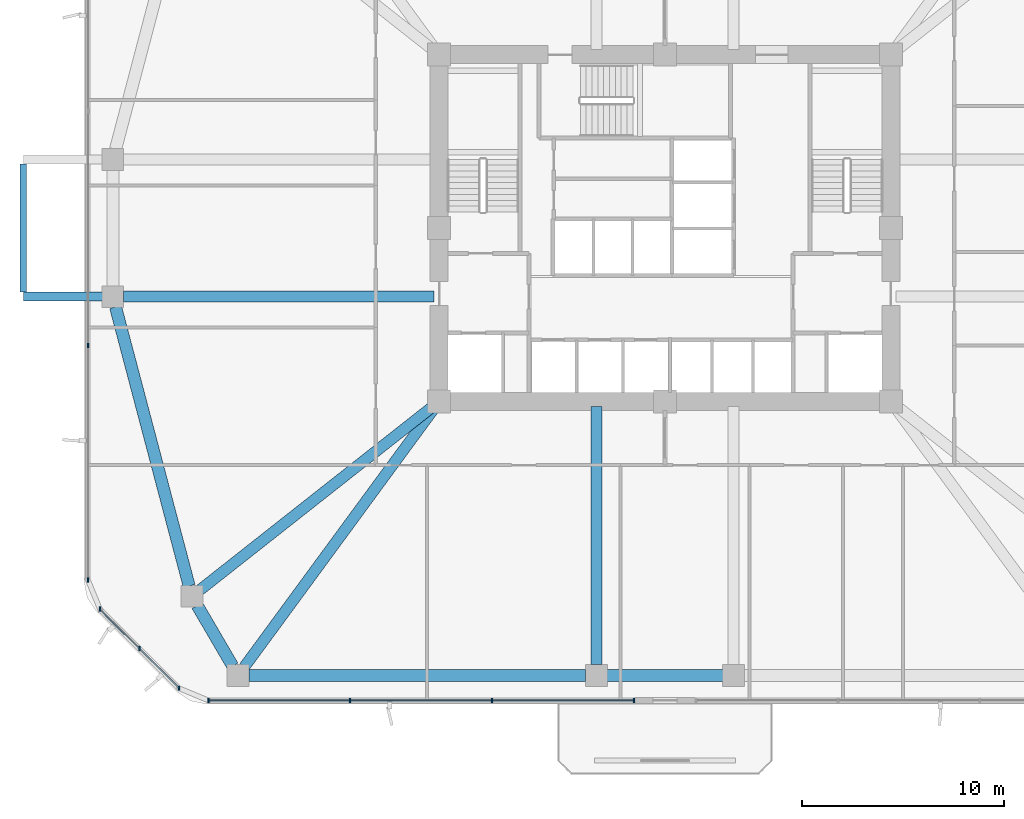
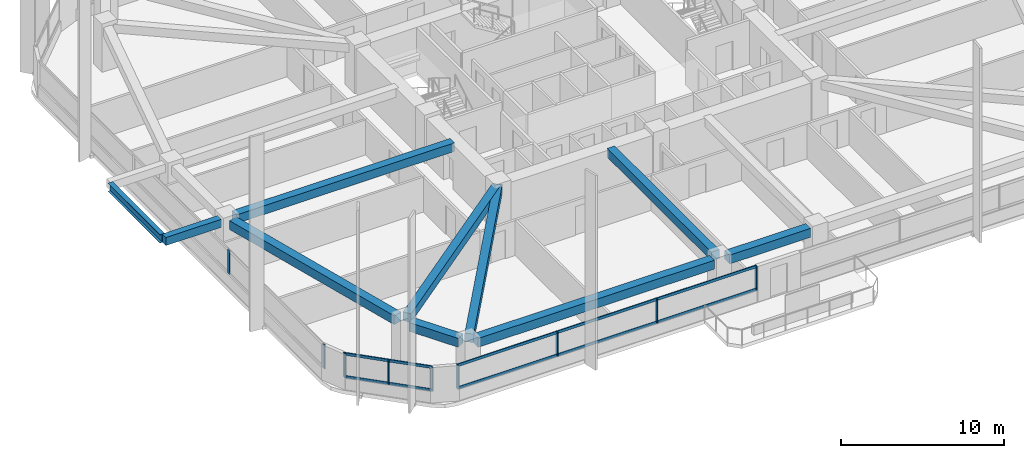
# One storey, part 2 of 17: 13 members, 10 beams, 3 elements without a shape of their own.
"""IFC4 building model written with IfcOpenShell, lengths in metres."""

from ifc_helpers import new_model, si_unit, derived_unit, direction, frame, origin, origin_2d, place, context, subcontext, project, spatial, rectangle, i_section, extrude, material, material_profile, profile_set, type_object, element, aggregate, save


model = new_model("IFC4")

# Units and contexts
model_context = context("Model", 3, precision=1e-05, world=origin(), true_north=direction((0.0, 1.0)))
body_context = subcontext(model_context, "Body", "Model", "MODEL_VIEW")
ifc_project = project(units=[si_unit("LENGTHUNIT", "METRE"), si_unit("AREAUNIT", "SQUARE_METRE"), si_unit("VOLUMEUNIT", "CUBIC_METRE"), si_unit("PLANEANGLEUNIT", "RADIAN"), si_unit("MASSUNIT", "GRAM", prefix="KILO"), derived_unit("THERMALTRANSMITTANCEUNIT", [(si_unit("POWERUNIT", "WATT"), 1), (si_unit("LENGTHUNIT", "METRE"), -2), (si_unit("THERMODYNAMICTEMPERATUREUNIT", "KELVIN"), -1)])], contexts=[model_context])

# Site, building, storey
site_placement = place(None, origin())
site = spatial("IfcSite", under=ifc_project, at=site_placement, CompositionType="ELEMENT")
building_placement = place(site_placement, origin())
building = spatial("IfcBuilding", under=site, at=building_placement, Name="Koralith Skygarden Medical Center", CompositionType="ELEMENT")
storey_placement = place(building_placement, frame((0.0, 0.0, 38.340087890625)))
storey = spatial("IfcBuildingStorey", under=building, at=storey_placement, Name="L09", CompositionType="ELEMENT", Elevation=38.340087890625)

# Curtain wall, members
ifc_material_1 = material(Name="Clear Laminated Glass", Category="glass")
curtain_wall_type = type_object("IfcCurtainWallType", Name="CW-2 Zone 1 Hurricane Unitised Curtain Wall", PredefinedType="NOTDEFINED", material=ifc_material_1)
curtain_wall_1_placement = place(storey_placement, origin())
curtain_wall_1 = element("IfcCurtainWall", 1, at=curtain_wall_1_placement, inside=storey, type_object=curtain_wall_type, Name="Curtain Wall CW-L09-S-L", PredefinedType="NOTDEFINED")
ifc_material_2 = material(Name="Aluminium 6063-T6", Category="aluminium")
ifc_material_profile_1 = material_profile(ifc_material_2, rectangle(XDim=0.071044921875, YDim=0.219970703125, at=origin_2d()), Name="MUL71X220")
ifc_profile_set_1 = profile_set([ifc_material_profile_1], Name="Aluminium 6063-T6")
member_type_1 = type_object("IfcMemberType", Name="CW-2 Extruded Mullion 71x220", PredefinedType="MULLION", material=ifc_profile_set_1)
member_1_placement = place(storey_placement, frame((14.35498046875, 2.47998046875, 0.849853515625), z_axis=(0.0, 0.0, 1.0), x_axis=(1.0, 0.0, 0.0)))
member_1 = element("IfcMember", 2, at=member_1_placement, type_object=member_type_1, Name="CW-L09-S-L Mullion 1", PredefinedType="MULLION", context=body_context, shape_type="SweptSolid", body=[
    extrude(rectangle(XDim=0.071044921875, YDim=0.219970703125, at=origin_2d()), origin(), (0.0, 0.0, 1.0), 1.800048828125),
])
member_2_placement = place(storey_placement, frame((21.389892578125, 2.47998046875, 0.849853515625), z_axis=(0.0, 0.0, 1.0), x_axis=(1.0, 0.0, 0.0)))
member_2 = element("IfcMember", 3, at=member_2_placement, type_object=member_type_1, Name="CW-L09-S-L Mullion 2", PredefinedType="MULLION", context=body_context, shape_type="SweptSolid", body=[
    extrude(rectangle(XDim=0.071044921875, YDim=0.219970703125, at=origin_2d()), origin(), (0.0, 0.0, 1.0), 1.800048828125),
])
member_3_placement = place(storey_placement, frame((28.425048828125, 2.47998046875, 0.849853515625), z_axis=(0.0, 0.0, 1.0), x_axis=(1.0, 0.0, 0.0)))
member_3 = element("IfcMember", 4, at=member_3_placement, type_object=member_type_1, Name="CW-L09-S-L Mullion 3", PredefinedType="MULLION", context=body_context, shape_type="SweptSolid", body=[
    extrude(rectangle(XDim=0.071044921875, YDim=0.219970703125, at=origin_2d()), origin(), (0.0, 0.0, 1.0), 1.800048828125),
])
member_4_placement = place(storey_placement, frame((35.4599609375, 2.47998046875, 0.849853515625), z_axis=(0.0, 0.0, 1.0), x_axis=(1.0, 0.0, 0.0)))
member_4 = element("IfcMember", 5, at=member_4_placement, type_object=member_type_1, Name="CW-L09-S-L Mullion 4", PredefinedType="MULLION", context=body_context, shape_type="SweptSolid", body=[
    extrude(rectangle(XDim=0.071044921875, YDim=0.219970703125, at=origin_2d()), origin(), (0.0, 0.0, 1.0), 1.800048828125),
])

curtain_wall_2_placement = place(storey_placement, origin())
curtain_wall_2 = element("IfcCurtainWall", 6, at=curtain_wall_2_placement, inside=storey, type_object=curtain_wall_type, Name="Curtain Wall CW-L09-W", PredefinedType="NOTDEFINED")
member_5_placement = place(storey_placement, frame((8.3798828125, 20.0849609375, 0.849853515625), z_axis=(0.0, 0.0, 1.0), x_axis=(1.0, 0.0, 0.0)))
member_5 = element("IfcMember", 7, at=member_5_placement, type_object=member_type_1, Name="CW-L09-W Mullion 3", PredefinedType="MULLION", context=body_context, shape_type="SweptSolid", body=[
    extrude(rectangle(XDim=0.071044921875, YDim=0.219970703125, at=origin_2d()), origin(), (0.0, 0.0, 1.0), 1.800048828125),
])
member_6_placement = place(storey_placement, frame((8.3798828125, 8.455078125, 0.849853515625), z_axis=(0.0, 0.0, 1.0), x_axis=(1.0, 0.0, 0.0)))
member_6 = element("IfcMember", 8, at=member_6_placement, type_object=member_type_1, Name="CW-L09-W Mullion 4", PredefinedType="MULLION", context=body_context, shape_type="SweptSolid", body=[
    extrude(rectangle(XDim=0.071044921875, YDim=0.219970703125, at=origin_2d()), origin(), (0.0, 0.0, 1.0), 1.800048828125),
])
aggregate(curtain_wall_2, [member_5, member_6])

curtain_wall_3_placement = place(storey_placement, origin())
curtain_wall_3 = element("IfcCurtainWall", 9, at=curtain_wall_3_placement, inside=storey, type_object=curtain_wall_type, Name="Curtain Wall CW-L09-SW", PredefinedType="NOTDEFINED")
member_7_placement = place(storey_placement, frame((8.98095703125, 7.00390625, 0.849853515625), z_axis=(0.0, 0.0, 1.0), x_axis=(1.0, 0.0, 0.0)))
member_7 = element("IfcMember", 10, at=member_7_placement, type_object=member_type_1, Name="CW-L09-SW Mullion 1", PredefinedType="MULLION", context=body_context, shape_type="SweptSolid", body=[
    extrude(rectangle(XDim=0.071044921875, YDim=0.219970703125, at=origin_2d()), origin(), (0.0, 0.0, 1.0), 1.800048828125),
])
member_8_placement = place(storey_placement, frame((10.94189453125, 5.04296875, 0.849853515625), z_axis=(0.0, 0.0, 1.0), x_axis=(1.0, 0.0, 0.0)))
member_8 = element("IfcMember", 11, at=member_8_placement, type_object=member_type_1, Name="CW-L09-SW Mullion 2", PredefinedType="MULLION", context=body_context, shape_type="SweptSolid", body=[
    extrude(rectangle(XDim=0.071044921875, YDim=0.219970703125, at=origin_2d()), origin(), (0.0, 0.0, 1.0), 1.800048828125),
])
member_9_placement = place(storey_placement, frame((12.904052734375, 3.0810546875, 0.849853515625), z_axis=(0.0, 0.0, 1.0), x_axis=(1.0, 0.0, 0.0)))
member_9 = element("IfcMember", 12, at=member_9_placement, type_object=member_type_1, Name="CW-L09-SW Mullion 3", PredefinedType="MULLION", context=body_context, shape_type="SweptSolid", body=[
    extrude(rectangle(XDim=0.071044921875, YDim=0.219970703125, at=origin_2d()), origin(), (0.0, 0.0, 1.0), 1.800048828125),
])

# Member
ifc_material_profile_2 = material_profile(ifc_material_2, rectangle(XDim=0.06591796875, YDim=0.197998046875, at=origin_2d()), Name="TRN66X198")
ifc_profile_set_2 = profile_set([ifc_material_profile_2], Name="Aluminium 6063-T6")
member_type_2 = type_object("IfcMemberType", Name="CW-2 Thermal Transom 66x198", PredefinedType="USERDEFINED", material=ifc_profile_set_2)
member_10_placement = place(storey_placement, frame((14.35498046875, 2.47998046875, 0.89990234375), z_axis=(1.0, 0.0, 0.0), x_axis=(0.0, 1.0, 0.0)))
member_10 = element("IfcMember", 13, at=member_10_placement, type_object=member_type_2, Name="CW-L09-S-L Transom 1", ObjectType="TRANSOM", PredefinedType="USERDEFINED", context=body_context, shape_type="SweptSolid", body=[
    extrude(rectangle(XDim=0.06591796875, YDim=0.197998046875, at=origin_2d()), origin(), (0.0, 0.0, 1.0), 21.10498046875),
])

member_11_placement = place(storey_placement, frame((14.35498046875, 2.47998046875, 2.599853515625), z_axis=(1.0, 0.0, 0.0), x_axis=(0.0, 1.0, 0.0)))
member_11 = element("IfcMember", 14, at=member_11_placement, type_object=member_type_2, Name="CW-L09-S-L Transom 2", ObjectType="TRANSOM", PredefinedType="USERDEFINED", context=body_context, shape_type="SweptSolid", body=[
    extrude(rectangle(XDim=0.06591796875, YDim=0.197998046875, at=origin_2d()), origin(), (0.0, 0.0, 1.0), 21.10498046875),
])

aggregate(curtain_wall_1, [member_1, member_2, member_3, member_4, member_10, member_11])

member_12_placement = place(storey_placement, frame((8.98095703125, 7.00390625, 0.89990234375), z_axis=(0.707128783731, -0.707084777957, 0.0), x_axis=(0.707084777957, 0.707128783731, 0.0)))
member_12 = element("IfcMember", 15, at=member_12_placement, type_object=member_type_2, Name="CW-L09-SW Transom 1", ObjectType="TRANSOM", PredefinedType="USERDEFINED", context=body_context, shape_type="SweptSolid", body=[
    extrude(rectangle(XDim=0.06591796875, YDim=0.197998046875, at=origin_2d()), origin(), (0.0, 0.0, 1.0), 5.5478515625),
])

member_13_placement = place(storey_placement, frame((8.98095703125, 7.00390625, 2.599853515625), z_axis=(0.707128783731, -0.707084777957, 0.0), x_axis=(0.707084777957, 0.707128783731, 0.0)))
member_13 = element("IfcMember", 16, at=member_13_placement, type_object=member_type_2, Name="CW-L09-SW Transom 2", ObjectType="TRANSOM", PredefinedType="USERDEFINED", context=body_context, shape_type="SweptSolid", body=[
    extrude(rectangle(XDim=0.06591796875, YDim=0.197998046875, at=origin_2d()), origin(), (0.0, 0.0, 1.0), 5.5478515625),
])

aggregate(curtain_wall_3, [member_7, member_8, member_9, member_12, member_13])

# Beams
ifc_material_3 = material(Name="Steel ASTM A992 Grade 50", Category="steel")
ifc_material_profile_3 = material_profile(ifc_material_3, i_section(OverallWidth=0.326904296875, OverallDepth=0.6220703125, WebThickness=0.015380859375, FlangeThickness=0.0244140625, at=origin_2d()), Name="W24X131")
ifc_profile_set_3 = profile_set([ifc_material_profile_3], Name="Steel ASTM A992 Grade 50")
beam_type_1 = type_object("IfcBeamType", Name="Cantilever Tie Beam W24X131", PredefinedType="BEAM", material=ifc_profile_set_3)
beam_1_placement = place(storey_placement, frame((5.179931640625, 22.719970703125, 3.02880859375), z_axis=(0.0, 1.0, 0.0), x_axis=(-1.0, 0.0, 0.0)))
element("IfcBeam", 17, at=beam_1_placement, inside=storey, type_object=beam_type_1, Name="L10 W Balcony Tip Tie Beam", PredefinedType="BEAM", context=body_context, shape_type="SweptSolid", body=[
    extrude(i_section(OverallWidth=0.326904296875, OverallDepth=0.6220703125, WebThickness=0.015380859375, FlangeThickness=0.0244140625, at=origin_2d()), origin(), (0.0, 0.0, 1.0), 6.360107421875),
])
ifc_material_4 = material(Name="Concrete C45/55", Category="concrete")
ifc_material_profile_4 = material_profile(ifc_material_4, rectangle(XDim=0.449951171875, YDim=0.60009765625, at=origin_2d()), Name="RCB450X600")
ifc_profile_set_4 = profile_set([ifc_material_profile_4], Name="Concrete C45/55")
beam_type_2 = type_object("IfcBeamType", Name="Planted Balcony Cantilever Beam RCB450X600", PredefinedType="BEAM", material=ifc_profile_set_4)
beam_2_placement = place(storey_placement, frame((9.10009765625, 22.5, 3.039794921875), z_axis=(-1.0, 0.0, 0.0), x_axis=(0.0, -1.0, 0.0)))
element("IfcBeam", 18, at=beam_2_placement, inside=storey, type_object=beam_type_2, Name="L10 W Balcony Cantilever Beam A", PredefinedType="BEAM", context=body_context, shape_type="SweptSolid", body=[
    extrude(rectangle(XDim=0.449951171875, YDim=0.60009765625, at=origin_2d()), origin(), (0.0, 0.0, 1.0), 3.920166015625),
])
ifc_material_profile_5 = material_profile(ifc_material_4, rectangle(XDim=0.550048828125, YDim=0.639892578125, at=origin_2d()), Name="RCB550X640")
ifc_profile_set_5 = profile_set([ifc_material_profile_5], Name="Concrete C45/55")
beam_type_3 = type_object("IfcBeamType", Name="Radial Collector Beam RCB550X640", PredefinedType="BEAM", material=ifc_profile_set_5)
beam_3_placement = place(storey_placement, frame((25.550048828125, 22.5, 3.0), z_axis=(-1.0, 0.0, 0.0), x_axis=(0.0, -1.0, 0.0)))
element("IfcBeam", 19, at=beam_3_placement, inside=storey, type_object=beam_type_3, Name="L09 Radial Collector Beam RB-01", PredefinedType="BEAM", context=body_context, shape_type="SweptSolid", body=[
    extrude(rectangle(XDim=0.550048828125, YDim=0.639892578125, at=origin_2d()), origin(), (0.0, 0.0, 1.0), 15.400146484375),
])
beam_4_placement = place(storey_placement, frame((25.60400390625, 17.14501953125, 3.0), z_axis=(-0.785497250365, -0.618865146594, 0.0), x_axis=(0.618865146594, -0.785497250365, 0.0)))
element("IfcBeam", 20, at=beam_4_placement, inside=storey, type_object=beam_type_3, Name="L09 Radial Collector Beam RB-02", PredefinedType="BEAM", context=body_context, shape_type="SweptSolid", body=[
    extrude(rectangle(XDim=0.550048828125, YDim=0.639892578125, at=origin_2d()), origin(), (0.0, 0.0, 1.0), 14.828857421875),
])
beam_5_placement = place(storey_placement, frame((25.652099609375, 17.097900390625, 3.0), z_axis=(-0.591718052249, -0.806144991079, 0.0), x_axis=(0.806144991079, -0.591718052249, 0.0)))
element("IfcBeam", 21, at=beam_5_placement, inside=storey, type_object=beam_type_3, Name="L09 Radial Collector Beam RB-03", PredefinedType="BEAM", context=body_context, shape_type="SweptSolid", body=[
    extrude(rectangle(XDim=0.550048828125, YDim=0.639892578125, at=origin_2d()), origin(), (0.0, 0.0, 1.0), 16.065185546875),
])
beam_6_placement = place(storey_placement, frame((33.60009765625, 17.050048828125, 3.0), z_axis=(0.0, -1.0, 0.0), x_axis=(1.0, 0.0, 0.0)))
element("IfcBeam", 22, at=beam_6_placement, inside=storey, type_object=beam_type_3, Name="L09 Radial Collector Beam RB-04", PredefinedType="BEAM", context=body_context, shape_type="SweptSolid", body=[
    extrude(rectangle(XDim=0.550048828125, YDim=0.639892578125, at=origin_2d()), origin(), (0.0, 0.0, 1.0), 12.800048828125),
])
ifc_material_profile_6 = material_profile(ifc_material_4, rectangle(XDim=0.60009765625, YDim=0.659912109375, at=origin_2d()), Name="RCB600X660")
ifc_profile_set_6 = profile_set([ifc_material_profile_6], Name="Concrete C45/55")
beam_type_4 = type_object("IfcBeamType", Name="Zone 1 Spandrel Beam RCB600X660", PredefinedType="SPANDREL", material=ifc_profile_set_6)
beam_7_placement = place(storey_placement, frame((9.7548828125, 21.988037109375, 2.989990234375), z_axis=(0.255088684842, -0.966917660851, 0.0), x_axis=(0.966917660851, 0.255088684842, 0.0)))
element("IfcBeam", 23, at=beam_7_placement, inside=storey, type_object=beam_type_4, Name="L09 Perimeter Spandrel Beam SP-01", PredefinedType="SPANDREL", context=body_context, shape_type="SweptSolid", body=[
    extrude(rectangle(XDim=0.60009765625, YDim=0.659912109375, at=origin_2d()), origin(), (0.0, 0.0, 1.0), 14.309326171875),
])
beam_8_placement = place(storey_placement, frame((13.80810546875, 7.181884765625, 2.989990234375), z_axis=(0.504638660636, -0.863330656349, 0.0), x_axis=(0.863330656349, 0.504638660636, 0.0)))
element("IfcBeam", 24, at=beam_8_placement, inside=storey, type_object=beam_type_4, Name="L09 Perimeter Spandrel Beam SP-02", PredefinedType="SPANDREL", context=body_context, shape_type="SweptSolid", body=[
    extrude(rectangle(XDim=0.60009765625, YDim=0.659912109375, at=origin_2d()), origin(), (0.0, 0.0, 1.0), 3.4794921875),
])
beam_9_placement = place(storey_placement, frame((16.362060546875, 3.719970703125, 2.989990234375), z_axis=(1.0, 0.0, 0.0), x_axis=(0.0, 1.0, 0.0)))
element("IfcBeam", 25, at=beam_9_placement, inside=storey, type_object=beam_type_4, Name="L09 Perimeter Spandrel Beam SP-03", PredefinedType="SPANDREL", context=body_context, shape_type="SweptSolid", body=[
    extrude(rectangle(XDim=0.60009765625, YDim=0.659912109375, at=origin_2d()), origin(), (0.0, 0.0, 1.0), 16.7080078125),
])
beam_10_placement = place(storey_placement, frame((34.1298828125, 3.719970703125, 2.989990234375), z_axis=(1.0, 0.0, 0.0), x_axis=(0.0, 1.0, 0.0)))
element("IfcBeam", 26, at=beam_10_placement, inside=storey, type_object=beam_type_4, Name="L09 Perimeter Spandrel Beam SP-04", PredefinedType="SPANDREL", context=body_context, shape_type="SweptSolid", body=[
    extrude(rectangle(XDim=0.60009765625, YDim=0.659912109375, at=origin_2d()), origin(), (0.0, 0.0, 1.0), 5.740234375),
])

save(model, "model.ifc")
